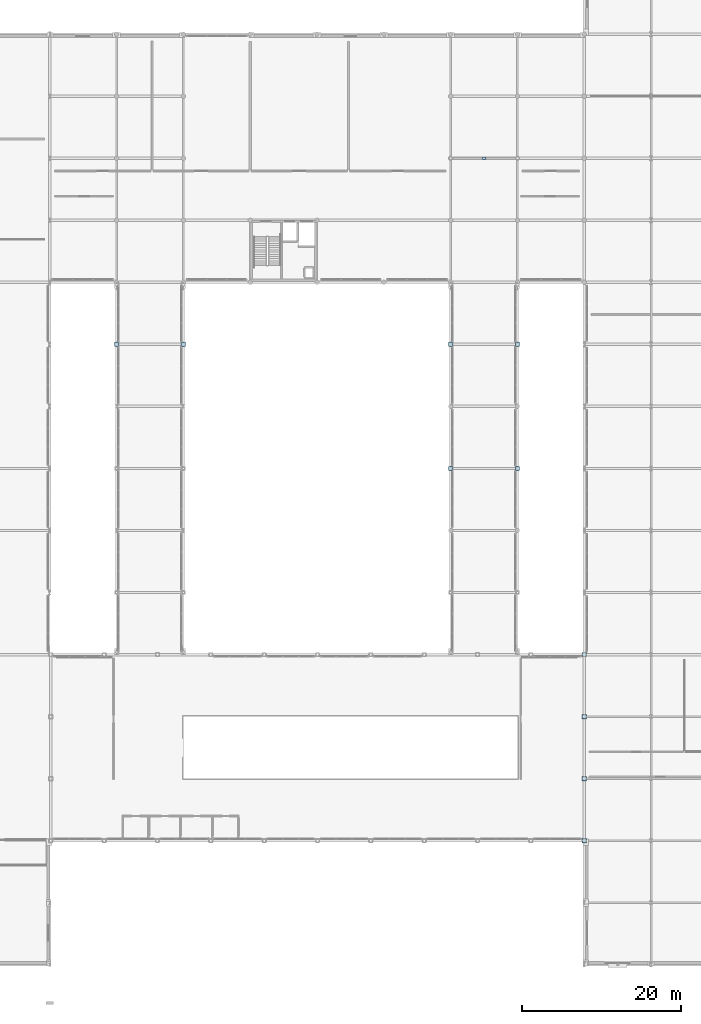
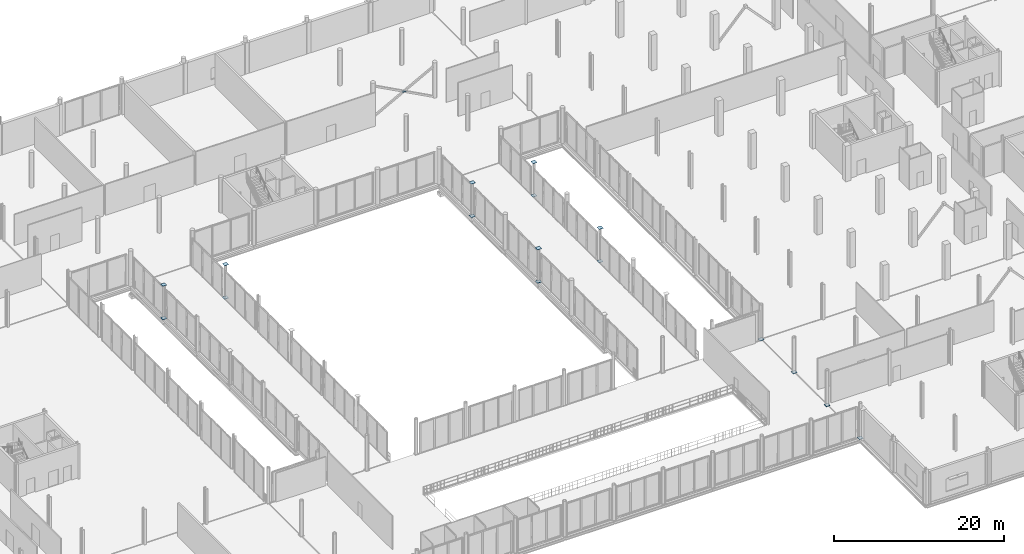
# One storey, part 74 of 105: 17 plates.
"""IFC4 building model written with IfcOpenShell, lengths in metres."""

from ifc_helpers import new_model, si_unit, direction, frame, origin, origin_2d, place, context, subcontext, project, spatial, rectangle, extrude, material, layer, layer_set, type_object, element, save


model = new_model("IFC4")

# Units and contexts
model_context = context("Model", 3, precision=1e-05, world=origin(), true_north=direction((0.0, 1.0)))
body_context = subcontext(model_context, "Body", "Model", "MODEL_VIEW")
ifc_project = project(units=[si_unit("LENGTHUNIT", "METRE"), si_unit("AREAUNIT", "SQUARE_METRE"), si_unit("VOLUMEUNIT", "CUBIC_METRE"), si_unit("PLANEANGLEUNIT", "RADIAN"), si_unit("MASSUNIT", "GRAM", prefix="KILO")], contexts=[model_context])

# Site, building, storey
site_placement = place(None, origin())
site = spatial("IfcSite", under=ifc_project, at=site_placement, CompositionType="ELEMENT")
building_placement = place(site_placement, origin())
building = spatial("IfcBuilding", under=site, at=building_placement, Name="Nabrawat Pavilion Hospital", CompositionType="ELEMENT")
storey_placement = place(building_placement, frame((0.0, 0.0, 5.10009765625)))
storey = spatial("IfcBuildingStorey", under=building, at=storey_placement, Name="L01", CompositionType="ELEMENT", Elevation=5.10009765625)

# Plates
ifc_material = material(Name="Steel S355", Category="steel")
ifc_layer_1 = layer(ifc_material, 0.030029296875, Name="Steel S355")
ifc_layer_set_1 = layer_set([ifc_layer_1], Name="Steel S355")
plate_type_1 = type_object("IfcPlateType", Name="Pavilion Splice Flange Plate 550x550x30", PredefinedType="USERDEFINED", material=ifc_layer_set_1)
for number, where, z_axis, x_axis, name in (
    (1, (75.60009765625, 78.0, 0.0), (0.0, 0.0, 1.0), (1.0, 0.0, 0.0), "L01 Column Flange Plate G-10-L"),
    (2, (75.60009765625, 78.0, 4.81005859375), (0.0, 0.0, 1.0), (1.0, 0.0, 0.0), "L01 Hollow Column Head Cap Plate G-10-L"),
    (3, (109.199951171875, 62.39990234375, 0.0), (0.0, 0.0, 1.0), (1.0, 0.0, 0.0), "L01 Column Flange Plate G-14-J"),
    (4, (109.199951171875, 62.39990234375, 4.81005859375), (0.0, 0.0, 1.0), (1.0, 0.0, 0.0), "L01 Hollow Column Head Cap Plate G-14-J"),
    (5, (109.199951171875, 78.0, 0.0), (0.0, 0.0, 1.0), (1.0, 0.0, 0.0), "L01 Column Flange Plate G-14-L"),
    (6, (109.199951171875, 78.0, 4.81005859375), (0.0, 0.0, 1.0), (1.0, 0.0, 0.0), "L01 Hollow Column Head Cap Plate G-14-L"),
    (7, (117.60009765625, 62.39990234375, 0.0), (0.0, 0.0, 1.0), (1.0, 0.0, 0.0), "L01 Column Flange Plate G-15-J"),
    (8, (117.60009765625, 62.39990234375, 4.81005859375), (0.0, 0.0, 1.0), (1.0, 0.0, 0.0), "L01 Hollow Column Head Cap Plate G-15-J"),
    (9, (117.60009765625, 78.0, 0.0), (0.0, 0.0, 1.0), (1.0, 0.0, 0.0), "L01 Column Flange Plate G-15-L"),
    (10, (117.60009765625, 78.0, 4.81005859375), (0.0, 0.0, 1.0), (1.0, 0.0, 0.0), "L01 Hollow Column Head Cap Plate G-15-L"),
    (11, (67.199951171875, 78.0, 0.0), (0.0, 0.0, 1.0), (1.0, 0.0, 0.0), "L01 Column Flange Plate G-9-L"),
    (12, (67.199951171875, 78.0, 4.81005859375), (0.0, 0.0, 1.0), (1.0, 0.0, 0.0), "L01 Hollow Column Head Cap Plate G-9-L"),
    (13, (126.0, 23.39990234375, 0.0), (0.0, 0.0, 1.0), (1.0, 0.0, 0.0), "L01 Column Flange Plate MH-E01"),
    (14, (126.0, 31.199951171875, 0.0), (0.0, 0.0, 1.0), (1.0, 0.0, 0.0), "L01 Column Flange Plate MH-E02"),
    (15, (126.0, 39.0, 0.0), (0.0, 0.0, 1.0), (1.0, 0.0, 0.0), "L01 Column Flange Plate MH-N10"),
    (16, (126.0, 15.60009765625, 0.0), (0.0, 0.0, 1.0), (1.0, 0.0, 0.0), "L01 Column Flange Plate MH-S10"),
):
    element("IfcPlate", number, at=place(storey_placement, frame(where, z_axis=z_axis, x_axis=x_axis)), inside=storey, type_object=plate_type_1, Name=name, ObjectType="FLANGE PLATE", PredefinedType="USERDEFINED", context=body_context, shape_type="SweptSolid", body=[
        extrude(rectangle(XDim=0.550048828125, YDim=0.550048828125, at=origin_2d()), origin(), (0.0, 0.0, 1.0), 0.030029296875),
    ])
ifc_layer_2 = layer(ifc_material, 0.02392578125, Name="Steel S355")
ifc_layer_set_2 = layer_set([ifc_layer_2], Name="Steel S355")
plate_type_2 = type_object("IfcPlateType", Name="X-Brace Crossing Gusset Plate 440x280x24", PredefinedType="USERDEFINED", material=ifc_layer_set_2)
plate_placement = place(storey_placement, frame((113.39990234375, 101.39990234375, 2.287841796875), z_axis=(0.0, 0.0, 1.0), x_axis=(1.0, 0.0, 0.0)))
element("IfcPlate", 17, at=plate_placement, inside=storey, type_object=plate_type_2, Name="L01 Split X-Brace Crossing Gusset Plate 07", ObjectType="GUSSET PLATE", PredefinedType="USERDEFINED", context=body_context, shape_type="SweptSolid", body=[
    extrude(rectangle(XDim=0.43994140625, YDim=0.280029296875, at=origin_2d()), origin(), (0.0, 0.0, 1.0), 0.02392578125),
])

save(model, "model.ifc")
